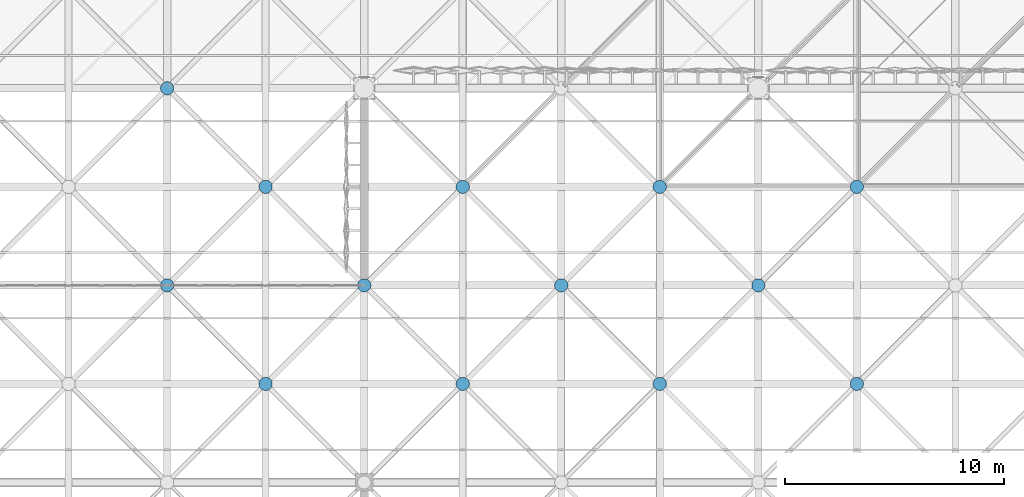
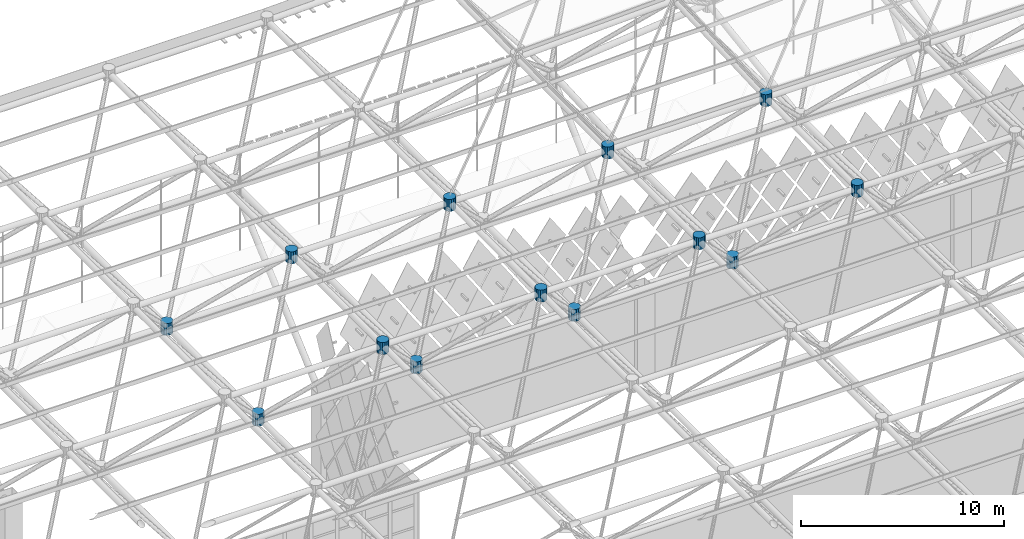
# One storey, part 328 of 437: 13 discrete accessories.
"""IFC4 building model written with IfcOpenShell, lengths in metres."""

from ifc_helpers import new_model, si_unit, direction, frame, origin, place, context, subcontext, project, spatial, polyline, outline, extrude, material, type_object, element, save


model = new_model("IFC4")

# Units and contexts
model_context = context("Model", 3, precision=1e-05, world=origin(), true_north=direction((0.0, 1.0)))
body_context = subcontext(model_context, "Body", "Model", "MODEL_VIEW")
ifc_project = project(units=[si_unit("LENGTHUNIT", "METRE"), si_unit("AREAUNIT", "SQUARE_METRE"), si_unit("VOLUMEUNIT", "CUBIC_METRE"), si_unit("PLANEANGLEUNIT", "RADIAN"), si_unit("MASSUNIT", "GRAM", prefix="KILO")], contexts=[model_context])

# Site, building, storey
site_placement = place(None, origin())
site = spatial("IfcSite", under=ifc_project, at=site_placement, CompositionType="ELEMENT")
building_placement = place(site_placement, origin())
building = spatial("IfcBuilding", under=site, at=building_placement, Name="Opaline Strait Convention Centre", CompositionType="ELEMENT")
storey_placement = place(building_placement, frame((0.0, 0.0, 11.5)))
storey = spatial("IfcBuildingStorey", under=building, at=storey_placement, Name="L02", CompositionType="ELEMENT", Elevation=11.5)

# Discrete accessories
ifc_material = material(Name="Cast steel ZG300-500H (300 MPa)", Category="steel")
discrete_accessory_type = type_object("IfcDiscreteAccessoryType", Name="Space frame node hub D600", PredefinedType="USERDEFINED", material=ifc_material)
discrete_accessory_1_placement = place(storey_placement, frame((0.0, 0.0, 17.611572265625)))
element("IfcDiscreteAccessory", 1, at=discrete_accessory_1_placement, inside=storey, type_object=discrete_accessory_type, Name="Top node 14/12", ObjectType="NODE HUB", PredefinedType="USERDEFINED", context=body_context, shape_type="SweptSolid", body=[
    extrude(outline(polyline([(202.800048828125, 139.559814453125), (202.75439453125, 139.669921875), (202.669921875, 139.75439453125), (202.559814453125, 139.800048828125), (202.440185546875, 139.800048828125), (202.330078125, 139.75439453125), (202.24560546875, 139.669921875), (202.199951171875, 139.559814453125), (202.199951171875, 139.440185546875), (202.24560546875, 139.330078125), (202.330078125, 139.24560546875), (202.440185546875, 139.199951171875), (202.559814453125, 139.199951171875), (202.669921875, 139.24560546875), (202.75439453125, 139.330078125), (202.800048828125, 139.440185546875), (202.800048828125, 139.559814453125)])), origin(), (0.0, 0.0, 1.0), 0.719970703125),
])
discrete_accessory_2_placement = place(storey_placement, frame((0.0, 0.0, 17.611572265625)))
element("IfcDiscreteAccessory", 2, at=discrete_accessory_2_placement, inside=storey, type_object=discrete_accessory_type, Name="Top node 14/13", ObjectType="NODE HUB", PredefinedType="USERDEFINED", context=body_context, shape_type="SweptSolid", body=[
    extrude(outline(polyline([(202.800048828125, 148.559814453125), (202.75439453125, 148.669921875), (202.669921875, 148.75439453125), (202.559814453125, 148.800048828125), (202.440185546875, 148.800048828125), (202.330078125, 148.75439453125), (202.24560546875, 148.669921875), (202.199951171875, 148.559814453125), (202.199951171875, 148.440185546875), (202.24560546875, 148.330078125), (202.330078125, 148.24560546875), (202.440185546875, 148.199951171875), (202.559814453125, 148.199951171875), (202.669921875, 148.24560546875), (202.75439453125, 148.330078125), (202.800048828125, 148.440185546875), (202.800048828125, 148.559814453125)])), origin(), (0.0, 0.0, 1.0), 0.719970703125),
])
discrete_accessory_3_placement = place(storey_placement, frame((0.0, 0.0, 17.611572265625)))
element("IfcDiscreteAccessory", 3, at=discrete_accessory_3_placement, inside=storey, type_object=discrete_accessory_type, Name="Top node 15/12", ObjectType="NODE HUB", PredefinedType="USERDEFINED", context=body_context, shape_type="SweptSolid", body=[
    extrude(outline(polyline([(211.800048828125, 139.559814453125), (211.75439453125, 139.669921875), (211.669921875, 139.75439453125), (211.559814453125, 139.800048828125), (211.440185546875, 139.800048828125), (211.330078125, 139.75439453125), (211.24560546875, 139.669921875), (211.199951171875, 139.559814453125), (211.199951171875, 139.440185546875), (211.24560546875, 139.330078125), (211.330078125, 139.24560546875), (211.440185546875, 139.199951171875), (211.559814453125, 139.199951171875), (211.669921875, 139.24560546875), (211.75439453125, 139.330078125), (211.800048828125, 139.440185546875), (211.800048828125, 139.559814453125)])), origin(), (0.0, 0.0, 1.0), 0.719970703125),
])
discrete_accessory_4_placement = place(storey_placement, frame((0.0, 0.0, 17.611572265625)))
element("IfcDiscreteAccessory", 4, at=discrete_accessory_4_placement, inside=storey, type_object=discrete_accessory_type, Name="Top node 15/13", ObjectType="NODE HUB", PredefinedType="USERDEFINED", context=body_context, shape_type="SweptSolid", body=[
    extrude(outline(polyline([(211.800048828125, 148.559814453125), (211.75439453125, 148.669921875), (211.669921875, 148.75439453125), (211.559814453125, 148.800048828125), (211.440185546875, 148.800048828125), (211.330078125, 148.75439453125), (211.24560546875, 148.669921875), (211.199951171875, 148.559814453125), (211.199951171875, 148.440185546875), (211.24560546875, 148.330078125), (211.330078125, 148.24560546875), (211.440185546875, 148.199951171875), (211.559814453125, 148.199951171875), (211.669921875, 148.24560546875), (211.75439453125, 148.330078125), (211.800048828125, 148.440185546875), (211.800048828125, 148.559814453125)])), origin(), (0.0, 0.0, 1.0), 0.719970703125),
])
discrete_accessory_5_placement = place(storey_placement, frame((0.0, 0.0, 17.611572265625)))
element("IfcDiscreteAccessory", 5, at=discrete_accessory_5_placement, inside=storey, type_object=discrete_accessory_type, Name="Top node 16/12", ObjectType="NODE HUB", PredefinedType="USERDEFINED", context=body_context, shape_type="SweptSolid", body=[
    extrude(outline(polyline([(220.800048828125, 139.559814453125), (220.75439453125, 139.669921875), (220.669921875, 139.75439453125), (220.559814453125, 139.800048828125), (220.440185546875, 139.800048828125), (220.330078125, 139.75439453125), (220.24560546875, 139.669921875), (220.199951171875, 139.559814453125), (220.199951171875, 139.440185546875), (220.24560546875, 139.330078125), (220.330078125, 139.24560546875), (220.440185546875, 139.199951171875), (220.559814453125, 139.199951171875), (220.669921875, 139.24560546875), (220.75439453125, 139.330078125), (220.800048828125, 139.440185546875), (220.800048828125, 139.559814453125)])), origin(), (0.0, 0.0, 1.0), 0.719970703125),
])
discrete_accessory_6_placement = place(storey_placement, frame((0.0, 0.0, 17.611572265625)))
element("IfcDiscreteAccessory", 6, at=discrete_accessory_6_placement, inside=storey, type_object=discrete_accessory_type, Name="Top node 16/13", ObjectType="NODE HUB", PredefinedType="USERDEFINED", context=body_context, shape_type="SweptSolid", body=[
    extrude(outline(polyline([(220.800048828125, 148.559814453125), (220.75439453125, 148.669921875), (220.669921875, 148.75439453125), (220.559814453125, 148.800048828125), (220.440185546875, 148.800048828125), (220.330078125, 148.75439453125), (220.24560546875, 148.669921875), (220.199951171875, 148.559814453125), (220.199951171875, 148.440185546875), (220.24560546875, 148.330078125), (220.330078125, 148.24560546875), (220.440185546875, 148.199951171875), (220.559814453125, 148.199951171875), (220.669921875, 148.24560546875), (220.75439453125, 148.330078125), (220.800048828125, 148.440185546875), (220.800048828125, 148.559814453125)])), origin(), (0.0, 0.0, 1.0), 0.719970703125),
])
discrete_accessory_7_placement = place(storey_placement, frame((0.0, 0.0, 17.611572265625)))
element("IfcDiscreteAccessory", 7, at=discrete_accessory_7_placement, inside=storey, type_object=discrete_accessory_type, Name="Top node 17/12", ObjectType="NODE HUB", PredefinedType="USERDEFINED", context=body_context, shape_type="SweptSolid", body=[
    extrude(outline(polyline([(229.800048828125, 139.559814453125), (229.75439453125, 139.669921875), (229.669921875, 139.75439453125), (229.559814453125, 139.800048828125), (229.440185546875, 139.800048828125), (229.330078125, 139.75439453125), (229.24560546875, 139.669921875), (229.199951171875, 139.559814453125), (229.199951171875, 139.440185546875), (229.24560546875, 139.330078125), (229.330078125, 139.24560546875), (229.440185546875, 139.199951171875), (229.559814453125, 139.199951171875), (229.669921875, 139.24560546875), (229.75439453125, 139.330078125), (229.800048828125, 139.440185546875), (229.800048828125, 139.559814453125)])), origin(), (0.0, 0.0, 1.0), 0.719970703125),
])
discrete_accessory_8_placement = place(storey_placement, frame((0.0, 0.0, 17.611572265625)))
element("IfcDiscreteAccessory", 8, at=discrete_accessory_8_placement, inside=storey, type_object=discrete_accessory_type, Name="Top node 17/13", ObjectType="NODE HUB", PredefinedType="USERDEFINED", context=body_context, shape_type="SweptSolid", body=[
    extrude(outline(polyline([(229.800048828125, 148.559814453125), (229.75439453125, 148.669921875), (229.669921875, 148.75439453125), (229.559814453125, 148.800048828125), (229.440185546875, 148.800048828125), (229.330078125, 148.75439453125), (229.24560546875, 148.669921875), (229.199951171875, 148.559814453125), (229.199951171875, 148.440185546875), (229.24560546875, 148.330078125), (229.330078125, 148.24560546875), (229.440185546875, 148.199951171875), (229.559814453125, 148.199951171875), (229.669921875, 148.24560546875), (229.75439453125, 148.330078125), (229.800048828125, 148.440185546875), (229.800048828125, 148.559814453125)])), origin(), (0.0, 0.0, 1.0), 0.719970703125),
])
discrete_accessory_9_placement = place(storey_placement, frame((0.0, 0.0, 12.139892578125)))
element("IfcDiscreteAccessory", 9, at=discrete_accessory_9_placement, inside=storey, type_object=discrete_accessory_type, Name="Bottom node 13/12", ObjectType="NODE HUB", PredefinedType="USERDEFINED", context=body_context, shape_type="SweptSolid", body=[
    extrude(outline(polyline([(198.300048828125, 144.059814453125), (198.25439453125, 144.169921875), (198.169921875, 144.25439453125), (198.059814453125, 144.300048828125), (197.940185546875, 144.300048828125), (197.830078125, 144.25439453125), (197.74560546875, 144.169921875), (197.699951171875, 144.059814453125), (197.699951171875, 143.940185546875), (197.74560546875, 143.830078125), (197.830078125, 143.74560546875), (197.940185546875, 143.699951171875), (198.059814453125, 143.699951171875), (198.169921875, 143.74560546875), (198.25439453125, 143.830078125), (198.300048828125, 143.940185546875), (198.300048828125, 144.059814453125)])), origin(), (0.0, 0.0, 1.0), 0.72021484375),
])
discrete_accessory_10_placement = place(storey_placement, frame((0.0, 0.0, 12.139892578125)))
element("IfcDiscreteAccessory", 10, at=discrete_accessory_10_placement, inside=storey, type_object=discrete_accessory_type, Name="Bottom node 13/13", ObjectType="NODE HUB", PredefinedType="USERDEFINED", context=body_context, shape_type="SweptSolid", body=[
    extrude(outline(polyline([(198.300048828125, 153.059814453125), (198.25439453125, 153.169921875), (198.169921875, 153.25439453125), (198.059814453125, 153.300048828125), (197.940185546875, 153.300048828125), (197.830078125, 153.25439453125), (197.74560546875, 153.169921875), (197.699951171875, 153.059814453125), (197.699951171875, 152.940185546875), (197.74560546875, 152.830078125), (197.830078125, 152.74560546875), (197.940185546875, 152.699951171875), (198.059814453125, 152.699951171875), (198.169921875, 152.74560546875), (198.25439453125, 152.830078125), (198.300048828125, 152.940185546875), (198.300048828125, 153.059814453125)])), origin(), (0.0, 0.0, 1.0), 0.72021484375),
])
discrete_accessory_11_placement = place(storey_placement, frame((0.0, 0.0, 12.139892578125)))
element("IfcDiscreteAccessory", 11, at=discrete_accessory_11_placement, inside=storey, type_object=discrete_accessory_type, Name="Bottom node 14/12", ObjectType="NODE HUB", PredefinedType="USERDEFINED", context=body_context, shape_type="SweptSolid", body=[
    extrude(outline(polyline([(207.300048828125, 144.059814453125), (207.25439453125, 144.169921875), (207.169921875, 144.25439453125), (207.059814453125, 144.300048828125), (206.940185546875, 144.300048828125), (206.830078125, 144.25439453125), (206.74560546875, 144.169921875), (206.699951171875, 144.059814453125), (206.699951171875, 143.940185546875), (206.74560546875, 143.830078125), (206.830078125, 143.74560546875), (206.940185546875, 143.699951171875), (207.059814453125, 143.699951171875), (207.169921875, 143.74560546875), (207.25439453125, 143.830078125), (207.300048828125, 143.940185546875), (207.300048828125, 144.059814453125)])), origin(), (0.0, 0.0, 1.0), 0.72021484375),
])
discrete_accessory_12_placement = place(storey_placement, frame((0.0, 0.0, 12.139892578125)))
element("IfcDiscreteAccessory", 12, at=discrete_accessory_12_placement, inside=storey, type_object=discrete_accessory_type, Name="Bottom node 15/12", ObjectType="NODE HUB", PredefinedType="USERDEFINED", context=body_context, shape_type="SweptSolid", body=[
    extrude(outline(polyline([(216.300048828125, 144.059814453125), (216.25439453125, 144.169921875), (216.169921875, 144.25439453125), (216.059814453125, 144.300048828125), (215.940185546875, 144.300048828125), (215.830078125, 144.25439453125), (215.74560546875, 144.169921875), (215.699951171875, 144.059814453125), (215.699951171875, 143.940185546875), (215.74560546875, 143.830078125), (215.830078125, 143.74560546875), (215.940185546875, 143.699951171875), (216.059814453125, 143.699951171875), (216.169921875, 143.74560546875), (216.25439453125, 143.830078125), (216.300048828125, 143.940185546875), (216.300048828125, 144.059814453125)])), origin(), (0.0, 0.0, 1.0), 0.72021484375),
])
discrete_accessory_13_placement = place(storey_placement, frame((0.0, 0.0, 12.139892578125)))
element("IfcDiscreteAccessory", 13, at=discrete_accessory_13_placement, inside=storey, type_object=discrete_accessory_type, Name="Bottom node 16/12", ObjectType="NODE HUB", PredefinedType="USERDEFINED", context=body_context, shape_type="SweptSolid", body=[
    extrude(outline(polyline([(225.300048828125, 144.059814453125), (225.25439453125, 144.169921875), (225.169921875, 144.25439453125), (225.059814453125, 144.300048828125), (224.940185546875, 144.300048828125), (224.830078125, 144.25439453125), (224.74560546875, 144.169921875), (224.699951171875, 144.059814453125), (224.699951171875, 143.940185546875), (224.74560546875, 143.830078125), (224.830078125, 143.74560546875), (224.940185546875, 143.699951171875), (225.059814453125, 143.699951171875), (225.169921875, 143.74560546875), (225.25439453125, 143.830078125), (225.300048828125, 143.940185546875), (225.300048828125, 144.059814453125)])), origin(), (0.0, 0.0, 1.0), 0.72021484375),
])

save(model, "model.ifc")
